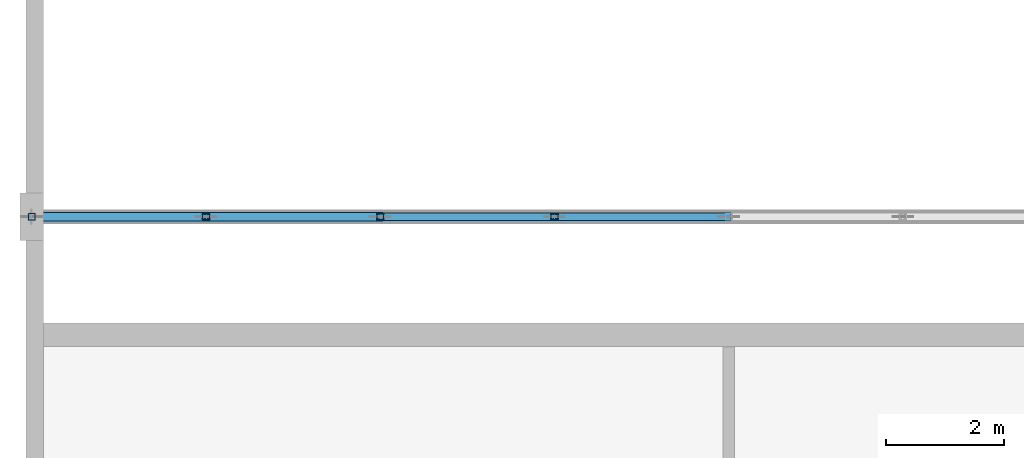
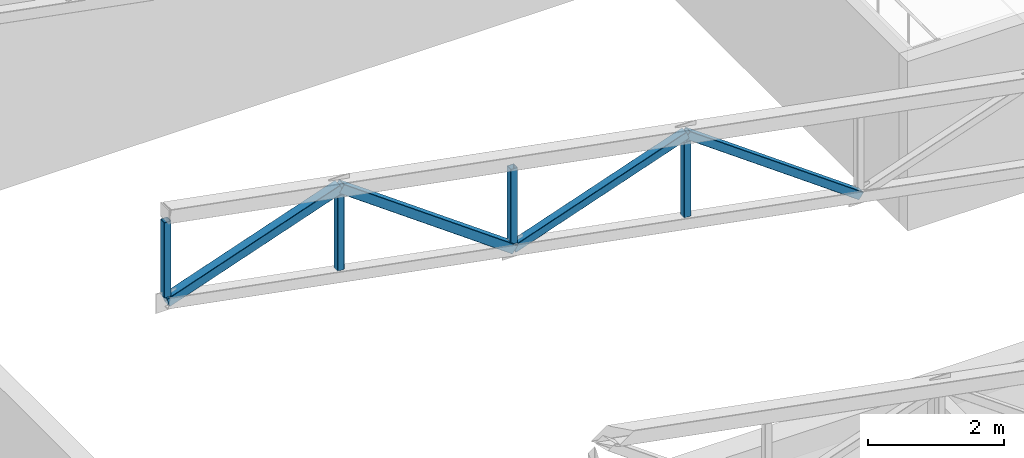
# One storey, part 12 of 125: 8 members.
"""IFC4 building model written with IfcOpenShell, lengths in metres."""

from ifc_helpers import new_model, si_unit, direction, frame, origin, origin_2d, place, context, subcontext, project, spatial, hollow_rectangle, extrude, material, material_profile, profile_set, type_object, element, save


model = new_model("IFC4")

# Units and contexts
model_context = context("Model", 3, precision=1e-05, world=origin(), true_north=direction((0.0, 1.0)))
body_context = subcontext(model_context, "Body", "Model", "MODEL_VIEW")
ifc_project = project(units=[si_unit("LENGTHUNIT", "METRE"), si_unit("AREAUNIT", "SQUARE_METRE"), si_unit("VOLUMEUNIT", "CUBIC_METRE"), si_unit("PLANEANGLEUNIT", "RADIAN"), si_unit("MASSUNIT", "GRAM", prefix="KILO")], contexts=[model_context])

# Site, building, storey
site_placement = place(None, origin())
site = spatial("IfcSite", under=ifc_project, at=site_placement, CompositionType="ELEMENT")
building_placement = place(site_placement, origin())
building = spatial("IfcBuilding", under=site, at=building_placement, Name="Sun Court Science Centre", CompositionType="ELEMENT")
storey_placement = place(building_placement, frame((0.0, 0.0, 6.0)))
storey = spatial("IfcBuildingStorey", under=building, at=storey_placement, Name="L01", CompositionType="ELEMENT", Elevation=6.0)

# Members
ifc_material_1 = material(Name="Steel S355", Category="steel")
ifc_material_profile_1 = material_profile(ifc_material_1, hollow_rectangle(XDim=0.139892578125, YDim=0.139892578125, WallThickness=0.008056640625, InnerFilletRadius=0.008056640625, OuterFilletRadius=0.011962890625, at=origin_2d()), Name="SHS 140x140x8")
ifc_profile_set_1 = profile_set([ifc_material_profile_1], Name="Steel S355")
member_type_1 = type_object("IfcMemberType", Name="Truss diagonal SHS 140x140x8", PredefinedType="BRACE", material=ifc_profile_set_1)
member_1_placement = place(storey_placement, frame((6.10009765625, 56.0, 8.236328125), z_axis=(0.94492748348, 0.0, 0.327279774755), x_axis=(0.0, 1.0, 0.0)))
element("IfcMember", 1, at=member_1_placement, inside=storey, type_object=member_type_1, Name="Roof truss 2 diagonal 3", PredefinedType="BRACE", context=body_context, shape_type="SweptSolid", body=[
    extrude(hollow_rectangle(XDim=0.139892578125, YDim=0.139892578125, WallThickness=0.008056640625, InnerFilletRadius=0.008056640625, OuterFilletRadius=0.011962890625, at=origin_2d()), origin(), (0.0, 0.0, 1.0), 3.121826171875),
])
member_2_placement = place(storey_placement, frame((9.050048828125, 56.0, 9.258056640625), z_axis=(0.810985300315, 0.0, -0.585066528416), x_axis=(0.0, 1.0, 0.0)))
element("IfcMember", 2, at=member_2_placement, inside=storey, type_object=member_type_1, Name="Roof truss 2 diagonal 4", PredefinedType="BRACE", context=body_context, shape_type="SweptSolid", body=[
    extrude(hollow_rectangle(XDim=0.139892578125, YDim=0.139892578125, WallThickness=0.008056640625, InnerFilletRadius=0.008056640625, OuterFilletRadius=0.011962890625, at=origin_2d()), origin(), (0.0, 0.0, 1.0), 3.637451171875),
])
ifc_material_2 = material(Name="Steel S355", Category="steel")
ifc_material_profile_2 = material_profile(ifc_material_2, hollow_rectangle(XDim=0.159912109375, YDim=0.159912109375, WallThickness=0.008056640625, InnerFilletRadius=0.008056640625, OuterFilletRadius=0.011962890625, at=origin_2d()), Name="SHS 160x160x8")
ifc_profile_set_2 = profile_set([ifc_material_profile_2], Name="Steel S355")
member_type_2 = type_object("IfcMemberType", Name="Truss diagonal SHS 160x160x8", PredefinedType="BRACE", material=ifc_profile_set_2)
member_3_placement = place(storey_placement, frame((0.199951171875, 56.0, 9.342529296875), z_axis=(0.94492748348, 0.0, 0.327279774755), x_axis=(0.0, 1.0, 0.0)))
element("IfcMember", 3, at=member_3_placement, inside=storey, type_object=member_type_2, Name="Roof truss 2 diagonal 1", PredefinedType="BRACE", context=body_context, shape_type="SweptSolid", body=[
    extrude(hollow_rectangle(XDim=0.159912109375, YDim=0.159912109375, WallThickness=0.008056640625, InnerFilletRadius=0.008056640625, OuterFilletRadius=0.011962890625, at=origin_2d()), origin(), (0.0, 0.0, 1.0), 3.121826171875),
])
member_4_placement = place(storey_placement, frame((3.14990234375, 56.0, 10.3642578125), z_axis=(0.811040116677, 0.0, -0.58499053765), x_axis=(0.0, 1.0, 0.0)))
element("IfcMember", 4, at=member_4_placement, inside=storey, type_object=member_type_2, Name="Roof truss 2 diagonal 2", PredefinedType="BRACE", context=body_context, shape_type="SweptSolid", body=[
    extrude(hollow_rectangle(XDim=0.159912109375, YDim=0.159912109375, WallThickness=0.008056640625, InnerFilletRadius=0.008056640625, OuterFilletRadius=0.011962890625, at=origin_2d()), origin(), (0.0, 0.0, 1.0), 3.637451171875),
])
ifc_material_3 = material(Name="Steel S355", Category="steel")
ifc_material_profile_3 = material_profile(ifc_material_3, hollow_rectangle(XDim=0.1201171875, YDim=0.1201171875, WallThickness=0.008056640625, InnerFilletRadius=0.008056640625, OuterFilletRadius=0.011962890625, at=origin_2d()), Name="SHS 120x120x8")
ifc_profile_set_3 = profile_set([ifc_material_profile_3], Name="Steel S355")
member_type_3 = type_object("IfcMemberType", Name="Truss post SHS 120x120x8", PredefinedType="POST", material=ifc_profile_set_3)
member_5_placement = place(storey_placement, frame((0.199951171875, 56.0, 9.4423828125), z_axis=(0.0, 0.0, 1.0), x_axis=(1.0, 0.0, 0.0)))
element("IfcMember", 5, at=member_5_placement, inside=storey, type_object=member_type_3, Name="Roof truss 2 post 1", PredefinedType="POST", context=body_context, shape_type="SweptSolid", body=[
    extrude(hollow_rectangle(XDim=0.1201171875, YDim=0.1201171875, WallThickness=0.008056640625, InnerFilletRadius=0.008056640625, OuterFilletRadius=0.011962890625, at=origin_2d()), origin(), (0.0, 0.0, 1.0), 1.35009765625),
])
member_6_placement = place(storey_placement, frame((3.14990234375, 56.0, 8.889404296875), z_axis=(0.0, 0.0, 1.0), x_axis=(1.0, 0.0, 0.0)))
element("IfcMember", 6, at=member_6_placement, inside=storey, type_object=member_type_3, Name="Roof truss 2 post 2", PredefinedType="POST", context=body_context, shape_type="SweptSolid", body=[
    extrude(hollow_rectangle(XDim=0.1201171875, YDim=0.1201171875, WallThickness=0.008056640625, InnerFilletRadius=0.008056640625, OuterFilletRadius=0.011962890625, at=origin_2d()), origin(), (0.0, 0.0, 1.0), 1.349853515625),
])
member_7_placement = place(storey_placement, frame((6.10009765625, 56.0, 8.336181640625), z_axis=(0.0, 0.0, 1.0), x_axis=(1.0, 0.0, 0.0)))
element("IfcMember", 7, at=member_7_placement, inside=storey, type_object=member_type_3, Name="Roof truss 2 post 3", PredefinedType="POST", context=body_context, shape_type="SweptSolid", body=[
    extrude(hollow_rectangle(XDim=0.1201171875, YDim=0.1201171875, WallThickness=0.008056640625, InnerFilletRadius=0.008056640625, OuterFilletRadius=0.011962890625, at=origin_2d()), origin(), (0.0, 0.0, 1.0), 1.35009765625),
])
member_8_placement = place(storey_placement, frame((9.050048828125, 56.0, 7.783203125), z_axis=(0.0, 0.0, 1.0), x_axis=(1.0, 0.0, 0.0)))
element("IfcMember", 8, at=member_8_placement, inside=storey, type_object=member_type_3, Name="Roof truss 2 post 4", PredefinedType="POST", context=body_context, shape_type="SweptSolid", body=[
    extrude(hollow_rectangle(XDim=0.1201171875, YDim=0.1201171875, WallThickness=0.008056640625, InnerFilletRadius=0.008056640625, OuterFilletRadius=0.011962890625, at=origin_2d()), origin(), (0.0, 0.0, 1.0), 1.349853515625),
])

save(model, "model.ifc")
